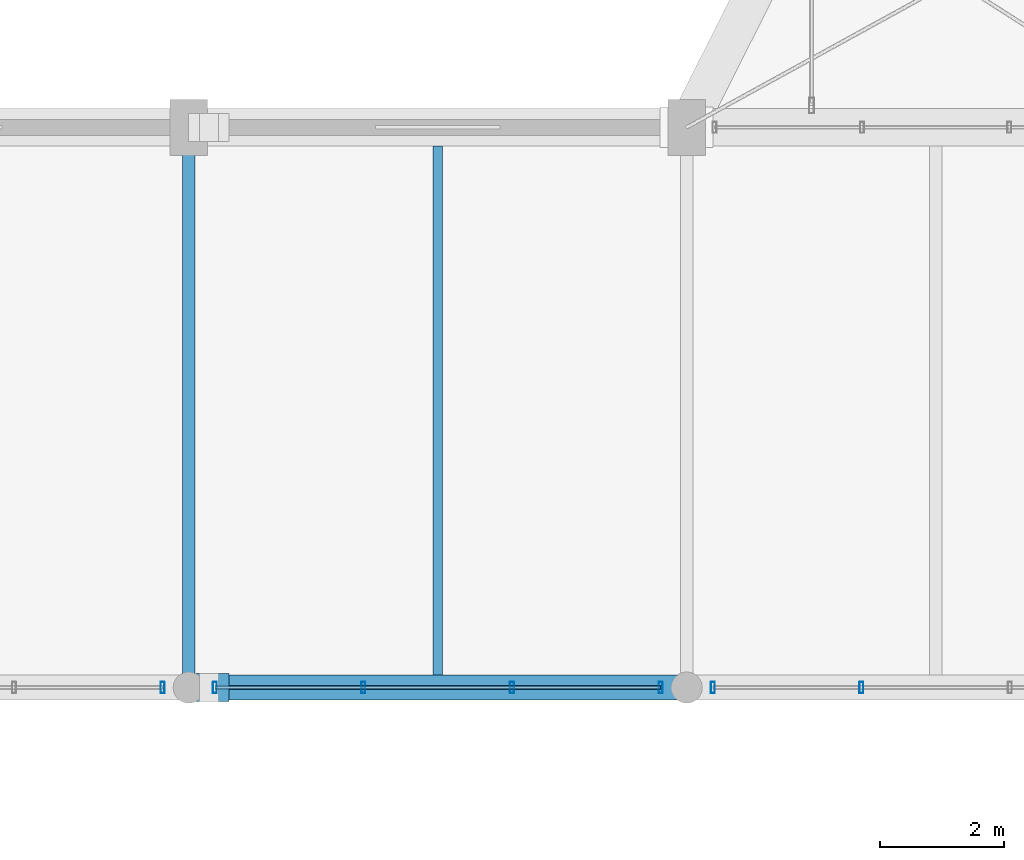
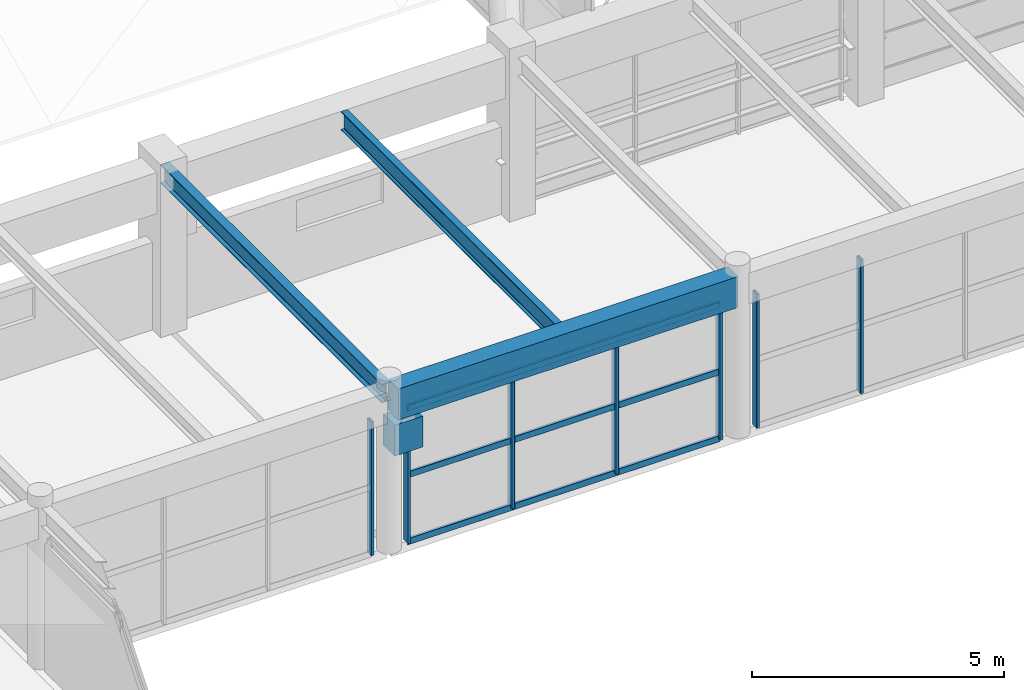
# One storey, part 25 of 126: 10 members, 4 beams, 3 elements without a shape of their own.
"""IFC4 building model written with IfcOpenShell, lengths in metres."""

from ifc_helpers import new_model, si_unit, direction, frame, origin, origin_2d, place, context, subcontext, project, spatial, rectangle, hollow_rectangle, i_section, extrude, material, material_profile, profile_set, type_object, element, aggregate, save


model = new_model("IFC4")

# Units and contexts
model_context = context("Model", 3, precision=1e-05, world=origin(), true_north=direction((0.0, 1.0)))
body_context = subcontext(model_context, "Body", "Model", "MODEL_VIEW")
ifc_project = project(units=[si_unit("LENGTHUNIT", "METRE"), si_unit("AREAUNIT", "SQUARE_METRE"), si_unit("VOLUMEUNIT", "CUBIC_METRE"), si_unit("PLANEANGLEUNIT", "RADIAN"), si_unit("MASSUNIT", "GRAM", prefix="KILO")], contexts=[model_context])

# Site, building, storey
site_placement = place(None, origin())
site = spatial("IfcSite", under=ifc_project, at=site_placement, CompositionType="ELEMENT")
building_placement = place(site_placement, origin())
building = spatial("IfcBuilding", under=site, at=building_placement, Name="Varnabhumi Central Station", CompositionType="ELEMENT")
storey_placement = place(building_placement, frame((0.0, 0.0, 16.199951171875)))
storey = spatial("IfcBuildingStorey", under=building, at=storey_placement, Name="L03", CompositionType="ELEMENT", Elevation=16.199951171875)

# Beams
ifc_material_1 = material(Name="Structural steel E350", Category="steel")
ifc_material_profile_1 = material_profile(ifc_material_1, i_section(OverallWidth=0.14990234375, OverallDepth=0.449951171875, WebThickness=0.009521484375, FlangeThickness=0.017333984375, FilletRadius=0.014892578125, at=origin_2d()), Name="Structural steel E350", Category="steel")
ifc_profile_set_1 = profile_set([ifc_material_profile_1], Name="Structural steel E350")
beam_type_1 = type_object("IfcBeamType", Name="BM-JST-ISMB450", PredefinedType="JOIST", material=ifc_profile_set_1)
beam_1_placement = place(storey_placement, frame((124.0, 27.199951171875, 3.695068359375), z_axis=(0.0, 1.0, 0.0), x_axis=(-1.0, 0.0, 0.0)))
element("IfcBeam", 1, at=beam_1_placement, inside=storey, type_object=beam_type_1, Name="Secondary Joist L03-16/17:D-E", PredefinedType="JOIST", context=body_context, shape_type="SweptSolid", body=[
    extrude(i_section(OverallWidth=0.14990234375, OverallDepth=0.449951171875, WebThickness=0.009521484375, FlangeThickness=0.017333984375, FilletRadius=0.014892578125, at=origin_2d()), origin(), (0.0, 0.0, 1.0), 8.5),
])
ifc_material_2 = material(Name="Concrete M40", Category="concrete")
ifc_material_profile_2 = material_profile(ifc_material_2, rectangle(XDim=0.39990234375, YDim=0.75, at=origin_2d()), Name="Concrete M40", Category="concrete")
ifc_profile_set_2 = profile_set([ifc_material_profile_2], Name="Concrete M40")
beam_type_2 = type_object("IfcBeamType", Name="BM-RC-400x750", PredefinedType="BEAM", material=ifc_profile_set_2)
beam_2_placement = place(storey_placement, frame((120.10009765625, 27.0, 3.545166015625), z_axis=(1.0, 0.0, 0.0), x_axis=(0.0, 1.0, 0.0)))
element("IfcBeam", 2, at=beam_2_placement, inside=storey, type_object=beam_type_2, Name="Beam L03-D:16-17", PredefinedType="BEAM", context=body_context, shape_type="SweptSolid", body=[
    extrude(rectangle(XDim=0.39990234375, YDim=0.75, at=origin_2d()), origin(), (0.0, 0.0, 1.0), 7.7998046875),
])
ifc_material_profile_3 = material_profile(ifc_material_2, rectangle(XDim=0.449951171875, YDim=0.75, at=origin_2d()), Name="Concrete M40", Category="concrete")
ifc_profile_set_3 = profile_set([ifc_material_profile_3], Name="Concrete M40")
beam_type_3 = type_object("IfcBeamType", Name="BM-RC-450x750", PredefinedType="BEAM", material=ifc_profile_set_3)
beam_3_placement = place(storey_placement, frame((120.0, 27.0, 2.715087890625), z_axis=(1.0, 0.0, 0.0), x_axis=(0.0, 1.0, 0.0)))
element("IfcBeam", 3, at=beam_3_placement, inside=storey, type_object=beam_type_3, Name="Movement Joint 650mm Corbel Seat L03-D-16", PredefinedType="BEAM", context=body_context, shape_type="SweptSolid", body=[
    extrude(rectangle(XDim=0.449951171875, YDim=0.75, at=origin_2d()), origin(), (0.0, 0.0, 1.0), 0.64990234375),
])
ifc_material_profile_4 = material_profile(ifc_material_1, i_section(OverallWidth=0.199951171875, OverallDepth=0.449951171875, WebThickness=0.00927734375, FlangeThickness=0.015380859375, FilletRadius=0.013916015625, at=origin_2d()), Name="Structural steel E350", Category="steel")
ifc_profile_set_4 = profile_set([ifc_material_profile_4], Name="Structural steel E350")
beam_type_4 = type_object("IfcBeamType", Name="BM-STL-ISWB450", PredefinedType="BEAM", material=ifc_profile_set_4)
beam_4_placement = place(storey_placement, frame((120.0, 27.10009765625, 3.695068359375), z_axis=(0.0, 1.0, 0.0), x_axis=(-1.0, 0.0, 0.0)))
element("IfcBeam", 4, at=beam_4_placement, inside=storey, type_object=beam_type_4, Name="Beam L03-16:D-E", PredefinedType="BEAM", context=body_context, shape_type="SweptSolid", body=[
    extrude(i_section(OverallWidth=0.199951171875, OverallDepth=0.449951171875, WebThickness=0.00927734375, FlangeThickness=0.015380859375, FilletRadius=0.013916015625, at=origin_2d()), origin(), (0.0, 0.0, 1.0), 8.7998046875),
])

# Curtain wall, member
ifc_material_3 = material(Name="Anodised aluminium 6063-T6", Category="aluminium")
curtain_wall_type = type_object("IfcCurtainWallType", Name="CW-PATIO-LOGGIA-L3", PredefinedType="NOTDEFINED", material=ifc_material_3)
curtain_wall_1_placement = place(storey_placement, origin())
curtain_wall_1 = element("IfcCurtainWall", 5, at=curtain_wall_1_placement, inside=storey, type_object=curtain_wall_type, Name="Curtain Wall CW-SP3N1", PredefinedType="NOTDEFINED")
ifc_material_profile_5 = material_profile(ifc_material_3, hollow_rectangle(XDim=0.06494140625, YDim=0.179931640625, WallThickness=0.00390625, InnerFilletRadius=0.001953125, OuterFilletRadius=0.006103515625, at=origin_2d()), Name="Anodised aluminium 6063-T6", Category="aluminium")
ifc_profile_set_5 = profile_set([ifc_material_profile_5], Name="Anodised aluminium 6063-T6")
member_type_1 = type_object("IfcMemberType", Name="CW-MUL-180", PredefinedType="MULLION", material=ifc_profile_set_5)
member_1_placement = place(storey_placement, frame((119.580078125, 27.0, 0.0), z_axis=(0.0, 0.0, 1.0), x_axis=(1.0, 0.0, 0.0)))
member_1 = element("IfcMember", 6, at=member_1_placement, type_object=member_type_1, Name="Curtain Wall Mullion CW-SP3N1-M4", PredefinedType="MULLION", context=body_context, shape_type="SweptSolid", body=[
    extrude(hollow_rectangle(XDim=0.06494140625, YDim=0.179931640625, WallThickness=0.00390625, InnerFilletRadius=0.001953125, OuterFilletRadius=0.006103515625, at=origin_2d()), origin(), (0.0, 0.0, 1.0), 3.239990234375),
])
aggregate(curtain_wall_1, [member_1])

# Curtain wall, members
curtain_wall_2_placement = place(storey_placement, origin())
curtain_wall_2 = element("IfcCurtainWall", 7, at=curtain_wall_2_placement, inside=storey, type_object=curtain_wall_type, Name="Curtain Wall CW-SP3N2", PredefinedType="NOTDEFINED")
member_2_placement = place(storey_placement, frame((120.419921875, 27.0, 0.0), z_axis=(0.0, 0.0, 1.0), x_axis=(1.0, 0.0, 0.0)))
member_2 = element("IfcMember", 8, at=member_2_placement, type_object=member_type_1, Name="Curtain Wall Mullion CW-SP3N2-M1", PredefinedType="MULLION", context=body_context, shape_type="SweptSolid", body=[
    extrude(hollow_rectangle(XDim=0.06494140625, YDim=0.179931640625, WallThickness=0.00390625, InnerFilletRadius=0.001953125, OuterFilletRadius=0.006103515625, at=origin_2d()), origin(), (0.0, 0.0, 1.0), 3.239990234375),
])
member_3_placement = place(storey_placement, frame((122.806640625, 27.0, 0.0), z_axis=(0.0, 0.0, 1.0), x_axis=(1.0, 0.0, 0.0)))
member_3 = element("IfcMember", 9, at=member_3_placement, type_object=member_type_1, Name="Curtain Wall Mullion CW-SP3N2-M2", PredefinedType="MULLION", context=body_context, shape_type="SweptSolid", body=[
    extrude(hollow_rectangle(XDim=0.06494140625, YDim=0.179931640625, WallThickness=0.00390625, InnerFilletRadius=0.001953125, OuterFilletRadius=0.006103515625, at=origin_2d()), origin(), (0.0, 0.0, 1.0), 3.239990234375),
])
member_4_placement = place(storey_placement, frame((125.193359375, 27.0, 0.0), z_axis=(0.0, 0.0, 1.0), x_axis=(1.0, 0.0, 0.0)))
member_4 = element("IfcMember", 10, at=member_4_placement, type_object=member_type_1, Name="Curtain Wall Mullion CW-SP3N2-M3", PredefinedType="MULLION", context=body_context, shape_type="SweptSolid", body=[
    extrude(hollow_rectangle(XDim=0.06494140625, YDim=0.179931640625, WallThickness=0.00390625, InnerFilletRadius=0.001953125, OuterFilletRadius=0.006103515625, at=origin_2d()), origin(), (0.0, 0.0, 1.0), 3.239990234375),
])
member_5_placement = place(storey_placement, frame((127.580078125, 27.0, 0.0), z_axis=(0.0, 0.0, 1.0), x_axis=(1.0, 0.0, 0.0)))
member_5 = element("IfcMember", 11, at=member_5_placement, type_object=member_type_1, Name="Curtain Wall Mullion CW-SP3N2-M4", PredefinedType="MULLION", context=body_context, shape_type="SweptSolid", body=[
    extrude(hollow_rectangle(XDim=0.06494140625, YDim=0.179931640625, WallThickness=0.00390625, InnerFilletRadius=0.001953125, OuterFilletRadius=0.006103515625, at=origin_2d()), origin(), (0.0, 0.0, 1.0), 3.239990234375),
])

curtain_wall_3_placement = place(storey_placement, origin())
curtain_wall_3 = element("IfcCurtainWall", 12, at=curtain_wall_3_placement, inside=storey, type_object=curtain_wall_type, Name="Curtain Wall CW-SP3N3", PredefinedType="NOTDEFINED")
member_6_placement = place(storey_placement, frame((128.419921875, 27.0, 0.0), z_axis=(0.0, 0.0, 1.0), x_axis=(1.0, 0.0, 0.0)))
member_6 = element("IfcMember", 13, at=member_6_placement, type_object=member_type_1, Name="Curtain Wall Mullion CW-SP3N3-M1", PredefinedType="MULLION", context=body_context, shape_type="SweptSolid", body=[
    extrude(hollow_rectangle(XDim=0.06494140625, YDim=0.179931640625, WallThickness=0.00390625, InnerFilletRadius=0.001953125, OuterFilletRadius=0.006103515625, at=origin_2d()), origin(), (0.0, 0.0, 1.0), 3.239990234375),
])
member_7_placement = place(storey_placement, frame((130.806640625, 27.0, 0.0), z_axis=(0.0, 0.0, 1.0), x_axis=(1.0, 0.0, 0.0)))
member_7 = element("IfcMember", 14, at=member_7_placement, type_object=member_type_1, Name="Curtain Wall Mullion CW-SP3N3-M2", PredefinedType="MULLION", context=body_context, shape_type="SweptSolid", body=[
    extrude(hollow_rectangle(XDim=0.06494140625, YDim=0.179931640625, WallThickness=0.00390625, InnerFilletRadius=0.001953125, OuterFilletRadius=0.006103515625, at=origin_2d()), origin(), (0.0, 0.0, 1.0), 3.239990234375),
])
aggregate(curtain_wall_3, [member_6, member_7])

# Member
ifc_material_profile_6 = material_profile(ifc_material_3, hollow_rectangle(XDim=0.06005859375, YDim=0.14990234375, WallThickness=0.00390625, InnerFilletRadius=0.001953125, OuterFilletRadius=0.006103515625, at=origin_2d()), Name="Anodised aluminium 6063-T6", Category="aluminium")
ifc_profile_set_6 = profile_set([ifc_material_profile_6], Name="Anodised aluminium 6063-T6")
member_type_2 = type_object("IfcMemberType", Name="CW-TR-150", PredefinedType="USERDEFINED", material=ifc_profile_set_6)
member_8_placement = place(storey_placement, frame((120.419921875, 27.0, 0.0), z_axis=(1.0, 0.0, 0.0), x_axis=(0.0, 1.0, 0.0)))
member_8 = element("IfcMember", 15, at=member_8_placement, type_object=member_type_2, Name="Curtain Wall Transom CW-SP3N2-T1", ObjectType="TRANSOM", PredefinedType="USERDEFINED", context=body_context, shape_type="SweptSolid", body=[
    extrude(hollow_rectangle(XDim=0.06005859375, YDim=0.14990234375, WallThickness=0.00390625, InnerFilletRadius=0.001953125, OuterFilletRadius=0.006103515625, at=origin_2d()), origin(), (0.0, 0.0, 1.0), 7.16015625),
])

member_9_placement = place(storey_placement, frame((120.419921875, 27.0, 1.6201171875), z_axis=(1.0, 0.0, 0.0), x_axis=(0.0, 1.0, 0.0)))
member_9 = element("IfcMember", 16, at=member_9_placement, type_object=member_type_2, Name="Curtain Wall Transom CW-SP3N2-T2", ObjectType="TRANSOM", PredefinedType="USERDEFINED", context=body_context, shape_type="SweptSolid", body=[
    extrude(hollow_rectangle(XDim=0.06005859375, YDim=0.14990234375, WallThickness=0.00390625, InnerFilletRadius=0.001953125, OuterFilletRadius=0.006103515625, at=origin_2d()), origin(), (0.0, 0.0, 1.0), 7.16015625),
])

member_10_placement = place(storey_placement, frame((120.419921875, 27.0, 3.239990234375), z_axis=(1.0, 0.0, 0.0), x_axis=(0.0, 1.0, 0.0)))
member_10 = element("IfcMember", 17, at=member_10_placement, type_object=member_type_2, Name="Curtain Wall Transom CW-SP3N2-T3", ObjectType="TRANSOM", PredefinedType="USERDEFINED", context=body_context, shape_type="SweptSolid", body=[
    extrude(hollow_rectangle(XDim=0.06005859375, YDim=0.14990234375, WallThickness=0.00390625, InnerFilletRadius=0.001953125, OuterFilletRadius=0.006103515625, at=origin_2d()), origin(), (0.0, 0.0, 1.0), 7.16015625),
])

aggregate(curtain_wall_2, [member_2, member_3, member_4, member_5, member_8, member_9, member_10])

save(model, "model.ifc")
